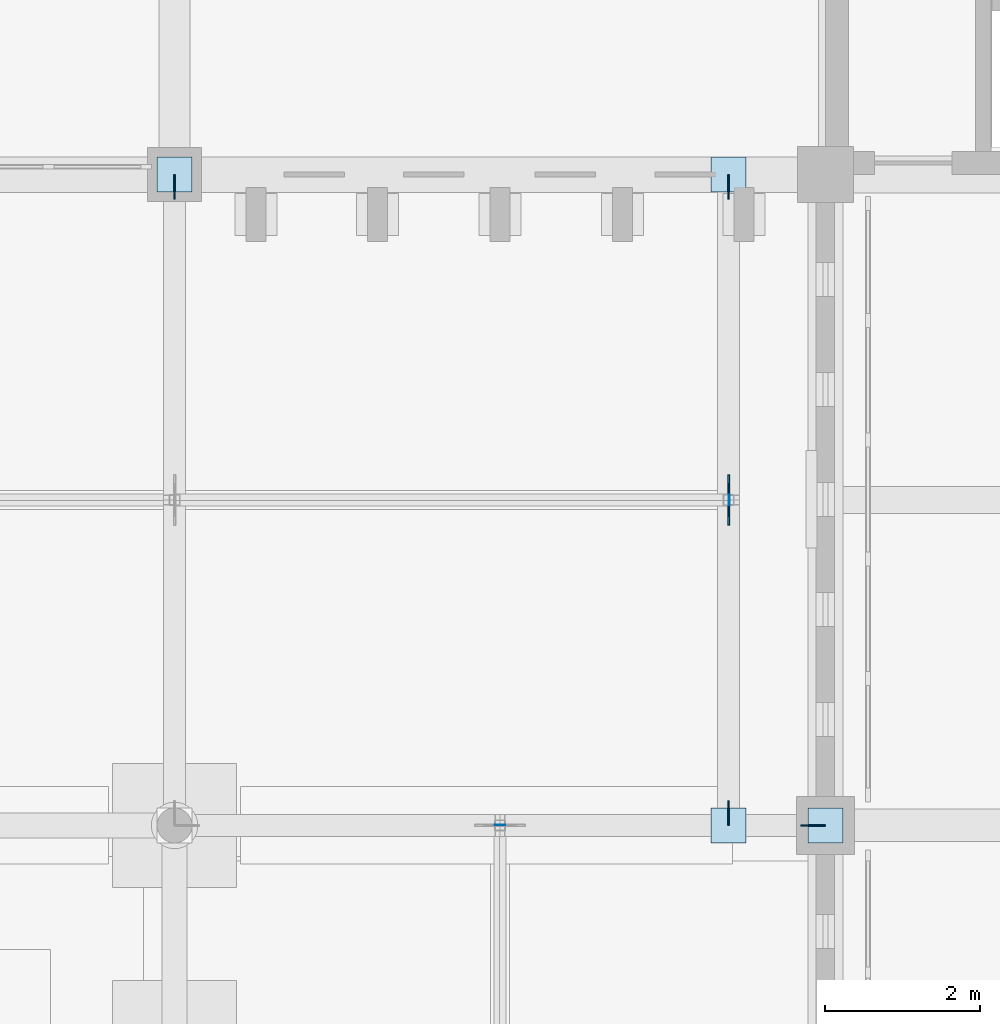
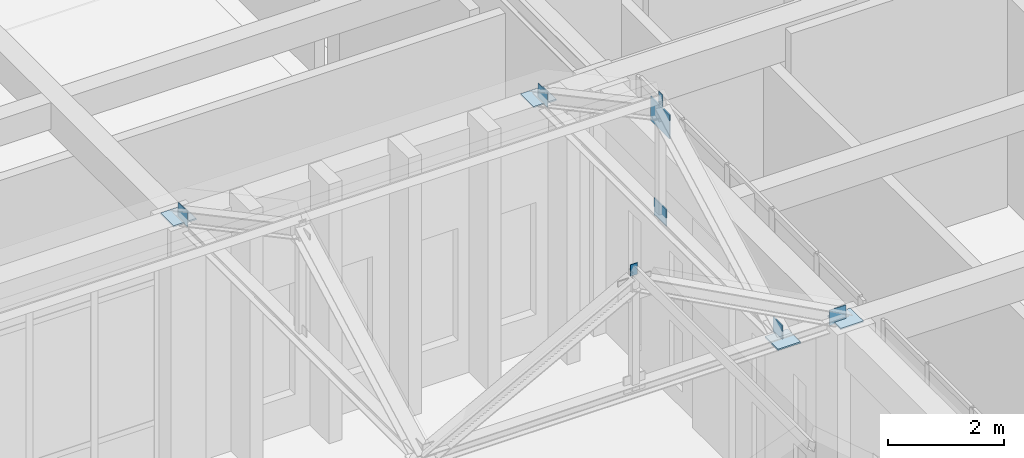
# One storey, part 106 of 143: 12 plates.
"""IFC4 building model written with IfcOpenShell, lengths in metres."""

from ifc_helpers import new_model, si_unit, direction, frame, origin, origin_2d, place, context, subcontext, project, spatial, rectangle, extrude, material, layer, layer_set, type_object, element, save


model = new_model("IFC4")

# Units and contexts
model_context = context("Model", 3, precision=1e-05, world=origin(), true_north=direction((0.0, 1.0)))
body_context = subcontext(model_context, "Body", "Model", "MODEL_VIEW")
ifc_project = project(units=[si_unit("LENGTHUNIT", "METRE"), si_unit("AREAUNIT", "SQUARE_METRE"), si_unit("VOLUMEUNIT", "CUBIC_METRE"), si_unit("PLANEANGLEUNIT", "RADIAN"), si_unit("MASSUNIT", "GRAM", prefix="KILO")], contexts=[model_context])

# Site, building, storey
site_placement = place(None, origin())
site = spatial("IfcSite", under=ifc_project, at=site_placement, CompositionType="ELEMENT")
building_placement = place(site_placement, origin())
building = spatial("IfcBuilding", under=site, at=building_placement, Name="Kveldsbrygga Polytechnic", CompositionType="ELEMENT")
storey_placement = place(building_placement, origin())
storey = spatial("IfcBuildingStorey", under=building, at=storey_placement, Name="L00", CompositionType="ELEMENT", Elevation=0.0)

# Plates
ifc_material = material(Name="Steel S355", Category="steel")
ifc_layer_1 = layer(ifc_material, 0.030029296875)
ifc_layer_set_1 = layer_set([ifc_layer_1], Name="Steel S355")
plate_type_1 = type_object("IfcPlateType", Name="CAP-BEAR-450", PredefinedType="SHEET", material=ifc_layer_set_1)
for number, where, z_axis, x_axis, name in (
    (1, (117.60009765625, 84.0, 5.10986328125), (0.0, 0.0, 1.0), (1.0, 0.0, 0.0), "Truss Bearing Plate ARC-EN-T06-B"),
    (2, (124.75, 75.60009765625, 5.10986328125), (0.0, 0.0, 1.0), (1.0, 0.0, 0.0), "Truss Bearing Plate ARC-EN-T07-A"),
    (3, (124.75, 84.0, 5.10986328125), (0.0, 0.0, 1.0), (1.0, 0.0, 0.0), "Truss Bearing Plate ARC-EN-T07-B"),
    (4, (126.0, 75.60009765625, 5.10986328125), (0.0, 0.0, 1.0), (1.0, 0.0, 0.0), "Truss Bearing Plate ARC-EE-T06-B"),
):
    element("IfcPlate", number, at=place(storey_placement, frame(where, z_axis=z_axis, x_axis=x_axis)), inside=storey, type_object=plate_type_1, Name=name, PredefinedType="SHEET", context=body_context, shape_type="SweptSolid", body=[
        extrude(rectangle(XDim=0.449951171875, YDim=0.449951171875, at=origin_2d()), origin(), (0.0, 0.0, 1.0), 0.030029296875),
    ])
ifc_layer_2 = layer(ifc_material, 0.011962890625)
ifc_layer_set_2 = layer_set([ifc_layer_2], Name="Steel S355")
plate_type_2 = type_object("IfcPlateType", Name="CAP-PRL-200", PredefinedType="SHEET", material=ifc_layer_set_2)
plate_1_placement = place(storey_placement, frame((124.756103515625, 79.800048828125, 7.513671875), z_axis=(0.0, 0.0, 1.0), x_axis=(1.0, 0.0, 0.0)))
element("IfcPlate", 5, at=plate_1_placement, inside=storey, type_object=plate_type_2, Name="Purlin End Cap Plate ARC-EN-EP-B-1", PredefinedType="SHEET", context=body_context, shape_type="SweptSolid", body=[
    extrude(rectangle(XDim=0.011962890625, YDim=0.139892578125, at=origin_2d()), origin(), (0.0, 0.0, 1.0), 0.239990234375),
])
plate_2_placement = place(storey_placement, frame((121.800048828125, 75.60595703125, 7.513671875), z_axis=(0.0, 0.0, 1.0), x_axis=(1.0, 0.0, 0.0)))
element("IfcPlate", 6, at=plate_2_placement, inside=storey, type_object=plate_type_2, Name="Purlin End Cap Plate ARC-EE-EP-B-1", PredefinedType="SHEET", context=body_context, shape_type="SweptSolid", body=[
    extrude(rectangle(XDim=0.139892578125, YDim=0.011962890625, at=origin_2d()), origin(), (0.0, 0.0, 1.0), 0.239990234375),
])
ifc_layer_3 = layer(ifc_material, 0.02490234375)
ifc_layer_set_3 = layer_set([ifc_layer_3], Name="Steel S355")
plate_type_3 = type_object("IfcPlateType", Name="GUS-APEX-650", PredefinedType="SHEET", material=ifc_layer_set_3)
plate_3_placement = place(storey_placement, frame((124.75, 79.800048828125, 6.989990234375), z_axis=(0.0, 0.0, 1.0), x_axis=(1.0, 0.0, 0.0)))
element("IfcPlate", 7, at=plate_3_placement, inside=storey, type_object=plate_type_3, Name="Truss Gusset Plate ARC-EN-T07-GP-1", PredefinedType="SHEET", context=body_context, shape_type="SweptSolid", body=[
    extrude(rectangle(XDim=0.02490234375, YDim=0.64990234375, at=origin_2d()), origin(), (0.0, 0.0, 1.0), 0.5),
])
ifc_layer_4 = layer(ifc_material, 0.01806640625)
ifc_layer_set_4 = layer_set([ifc_layer_4], Name="Steel S355")
plate_type_4 = type_object("IfcPlateType", Name="GUS-BRACE-320", PredefinedType="SHEET", material=ifc_layer_set_4)
for number, where, z_axis, x_axis, name in (
    (8, (117.60009765625, 83.840087890625, 5.10009765625), (0.0, 0.0, 1.0), (1.0, 0.0, 0.0), "Truss Eaves Node Gusset ARC-EN-T06-EGP-B"),
    (9, (124.75, 75.760009765625, 5.10009765625), (0.0, 0.0, 1.0), (1.0, 0.0, 0.0), "Truss Eaves Node Gusset ARC-EN-T07-EGP-A"),
    (10, (124.75, 83.840087890625, 5.10009765625), (0.0, 0.0, 1.0), (1.0, 0.0, 0.0), "Truss Eaves Node Gusset ARC-EN-T07-EGP-B"),
):
    element("IfcPlate", number, at=place(storey_placement, frame(where, z_axis=z_axis, x_axis=x_axis)), inside=storey, type_object=plate_type_4, Name=name, PredefinedType="SHEET", context=body_context, shape_type="SweptSolid", body=[
        extrude(rectangle(XDim=0.01806640625, YDim=0.320068359375, at=origin_2d()), origin(), (0.0, 0.0, 1.0), 0.320068359375),
    ])
plate_4_placement = place(storey_placement, frame((125.840087890625, 75.60009765625, 5.10009765625), z_axis=(0.0, 0.0, 1.0), x_axis=(1.0, 0.0, 0.0)))
element("IfcPlate", 11, at=plate_4_placement, inside=storey, type_object=plate_type_4, Name="Truss Eaves Node Gusset ARC-EE-T06-EGP-B", PredefinedType="SHEET", context=body_context, shape_type="SweptSolid", body=[
    extrude(rectangle(XDim=0.320068359375, YDim=0.01806640625, at=origin_2d()), origin(), (0.0, 0.0, 1.0), 0.320068359375),
])
ifc_layer_5 = layer(ifc_material, 0.02001953125)
ifc_layer_set_5 = layer_set([ifc_layer_5], Name="Steel S355")
plate_type_5 = type_object("IfcPlateType", Name="GUS-LECT-420", PredefinedType="SHEET", material=ifc_layer_set_5)
plate_5_placement = place(storey_placement, frame((124.75, 79.800048828125, 5.0849609375), z_axis=(0.0, 0.0, 1.0), x_axis=(1.0, 0.0, 0.0)))
element("IfcPlate", 12, at=plate_5_placement, inside=storey, type_object=plate_type_5, Name="Truss Bottom-Chord Node Gusset ARC-EN-T07-BGP-1", PredefinedType="SHEET", context=body_context, shape_type="SweptSolid", body=[
    extrude(rectangle(XDim=0.02001953125, YDim=0.419921875, at=origin_2d()), origin(), (0.0, 0.0, 1.0), 0.35009765625),
])

save(model, "model.ifc")
